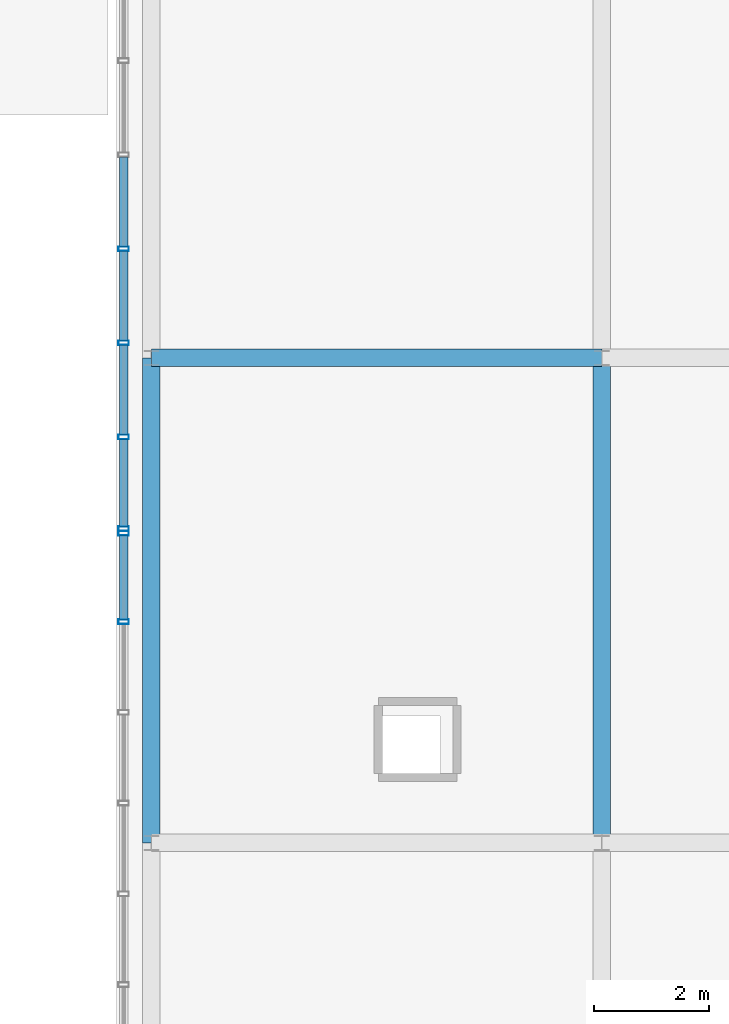
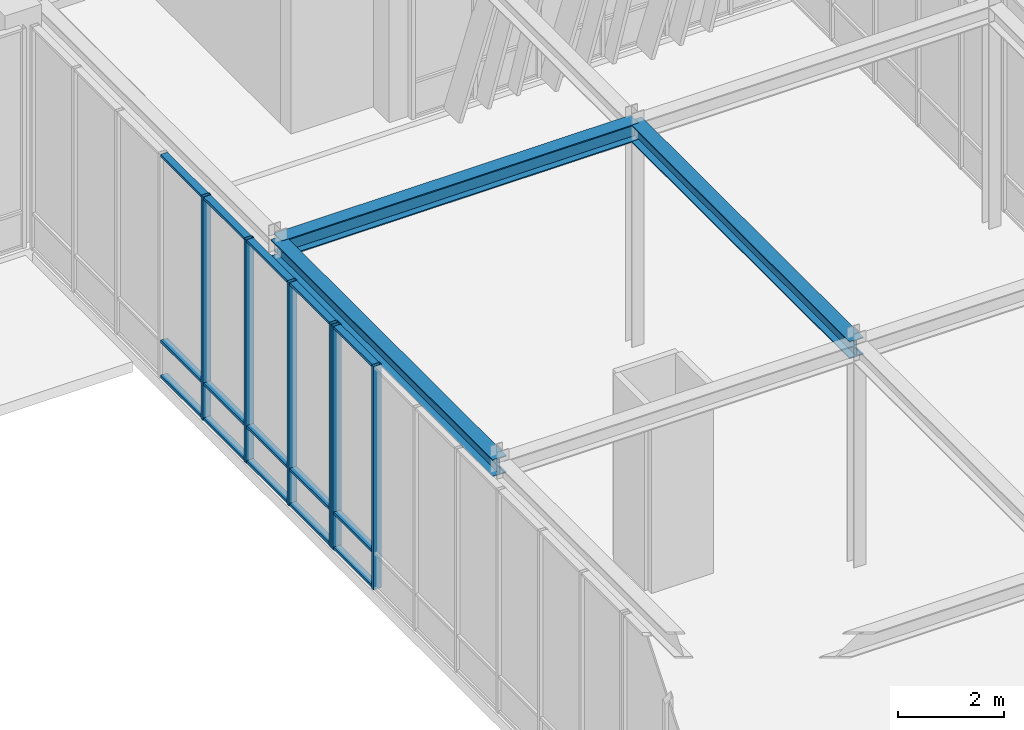
# One storey, part 25 of 139: 21 members, 3 beams, 2 elements without a shape of their own.
"""IFC4 building model written with IfcOpenShell, lengths in metres."""

from ifc_helpers import new_model, si_unit, direction, frame, origin, origin_2d, place, context, subcontext, project, spatial, hollow_rectangle, i_section, extrude, material, layer, layer_set, material_profile, profile_set, type_object, element, aggregate, save


model = new_model("IFC4")

# Units and contexts
model_context = context("Model", 3, precision=1e-05, world=origin(), true_north=direction((0.0, 1.0)))
body_context = subcontext(model_context, "Body", "Model", "MODEL_VIEW")
ifc_project = project(units=[si_unit("LENGTHUNIT", "METRE"), si_unit("AREAUNIT", "SQUARE_METRE"), si_unit("VOLUMEUNIT", "CUBIC_METRE"), si_unit("PLANEANGLEUNIT", "RADIAN"), si_unit("MASSUNIT", "GRAM", prefix="KILO")], contexts=[model_context])

# Site, building, storey
site_placement = place(None, origin())
site = spatial("IfcSite", under=ifc_project, at=site_placement, CompositionType="ELEMENT")
building_placement = place(site_placement, origin())
building = spatial("IfcBuilding", under=site, at=building_placement, Name="Zayran Congress Hotel", CompositionType="ELEMENT")
storey_placement = place(building_placement, frame((0.0, 0.0, 5.39990234375)))
storey = spatial("IfcBuildingStorey", under=building, at=storey_placement, Name="L01", CompositionType="ELEMENT", Elevation=5.39990234375)

# Beams
ifc_material_1 = material(Name="Steel S355", Category="steel")
ifc_material_profile_1 = material_profile(ifc_material_1, i_section(OverallWidth=0.300048828125, OverallDepth=0.39990234375, WebThickness=0.013427734375, FlangeThickness=0.02392578125, at=origin_2d()), Name="HEB 400")
ifc_profile_set_1 = profile_set([ifc_material_profile_1], Name="Steel S355")
beam_type = type_object("IfcBeamType", Name="TP-BM-10", PredefinedType="BEAM", material=ifc_profile_set_1)
beam_placement = place(storey_placement, frame((76.199951171875, 59.199951171875, 4.960205078125), z_axis=(1.0, 0.0, 0.0), x_axis=(0.0, 1.0, 0.0)))
element("IfcBeam", 1, at=beam_placement, inside=storey, type_object=beam_type, Name="BM-BR2-L01-2462", PredefinedType="BEAM", context=body_context, shape_type="SweptSolid", body=[
    extrude(i_section(OverallWidth=0.300048828125, OverallDepth=0.39990234375, WebThickness=0.013427734375, FlangeThickness=0.02392578125, at=origin_2d()), origin(), (0.0, 0.0, 1.0), 7.800048828125),
])
for number, where, z_axis, x_axis, name in (
    (2, (76.199951171875, 50.800048828125, 4.960205078125), (0.0, 1.0, 0.0), (-1.0, 0.0, 0.0), "BM-BR2Y-L01-2466"),
    (3, (84.0, 50.800048828125, 4.960205078125), (0.0, 1.0, 0.0), (-1.0, 0.0, 0.0), "BM-BR2Y-L01-2470"),
):
    element("IfcBeam", number, at=place(storey_placement, frame(where, z_axis=z_axis, x_axis=x_axis)), inside=storey, type_object=beam_type, Name=name, PredefinedType="BEAM", context=body_context, shape_type="SweptSolid", body=[
        extrude(i_section(OverallWidth=0.300048828125, OverallDepth=0.39990234375, WebThickness=0.013427734375, FlangeThickness=0.02392578125, at=origin_2d()), origin(), (0.0, 0.0, 1.0), 8.39990234375),
    ])

# Curtain wall, members
ifc_material_2 = material(Name="Anodised aluminium and low-E insulated glass", Category="aluminium")
ifc_layer_1 = layer(ifc_material_2, 0.179931640625)
ifc_layer_set_1 = layer_set([ifc_layer_1], Name="Anodised aluminium and low-E insulated glass")
curtain_wall_type_1 = type_object("IfcCurtainWallType", Name="CW-BR2-L01-CW-BR2-11000-5160", PredefinedType="USERDEFINED", material=ifc_layer_set_1)
curtain_wall_1_placement = place(storey_placement, origin())
curtain_wall_1 = element("IfcCurtainWall", 4, at=curtain_wall_1_placement, inside=storey, type_object=curtain_wall_type_1, Name="CW-BR2W-L01-1", ObjectType="CURTAIN WALL", PredefinedType="USERDEFINED")
ifc_material_3 = material(Name="Anodised aluminium framing", Category="aluminium")
ifc_material_profile_2 = material_profile(ifc_material_3, hollow_rectangle(XDim=0.080078125, YDim=0.179931640625, WallThickness=0.0048828125, at=origin_2d()), Name="RHS 180x80x5")
ifc_profile_set_2 = profile_set([ifc_material_profile_2], Name="Anodised aluminium framing")
member_type_1 = type_object("IfcMemberType", Name="TP-CWM-01", PredefinedType="MULLION", material=ifc_profile_set_2)
member_1_placement = place(storey_placement, frame((75.719970703125, 56.159912109375, 0.0), z_axis=(0.0, 0.0, 1.0), x_axis=(0.0, 1.0, 0.0)))
member_1 = element("IfcMember", 5, at=member_1_placement, type_object=member_type_1, Name="CW-BR2W-L01-1-M00", PredefinedType="MULLION", context=body_context, shape_type="SweptSolid", body=[
    extrude(hollow_rectangle(XDim=0.080078125, YDim=0.179931640625, WallThickness=0.0048828125, at=origin_2d()), origin(), (0.0, 0.0, 1.0), 5.16015625),
])
member_2_placement = place(storey_placement, frame((75.719970703125, 54.628662109375, 0.0), z_axis=(0.0, 0.0, 1.0), x_axis=(0.0, 1.0, 0.0)))
member_2 = element("IfcMember", 6, at=member_2_placement, type_object=member_type_1, Name="CW-BR2W-L01-1-M01", PredefinedType="MULLION", context=body_context, shape_type="SweptSolid", body=[
    extrude(hollow_rectangle(XDim=0.080078125, YDim=0.179931640625, WallThickness=0.0048828125, at=origin_2d()), origin(), (0.0, 0.0, 1.0), 5.16015625),
])

ifc_layer_2 = layer(ifc_material_2, 0.179931640625)
ifc_layer_set_2 = layer_set([ifc_layer_2], Name="Anodised aluminium and low-E insulated glass")
curtain_wall_type_2 = type_object("IfcCurtainWallType", Name="CW-BR2-L01-CW-BR2-11400-5160", PredefinedType="USERDEFINED", material=ifc_layer_set_2)
curtain_wall_2_placement = place(storey_placement, origin())
curtain_wall_2 = element("IfcCurtainWall", 7, at=curtain_wall_2_placement, inside=storey, type_object=curtain_wall_type_2, Name="CW-BR2W-L01-2", ObjectType="CURTAIN WALL", PredefinedType="USERDEFINED")
member_3_placement = place(storey_placement, frame((75.719970703125, 61.085693359375, 0.0), z_axis=(0.0, 0.0, 1.0), x_axis=(0.0, 1.0, 0.0)))
member_3 = element("IfcMember", 8, at=member_3_placement, type_object=member_type_1, Name="CW-BR2W-L01-2-M04", PredefinedType="MULLION", context=body_context, shape_type="SweptSolid", body=[
    extrude(hollow_rectangle(XDim=0.080078125, YDim=0.179931640625, WallThickness=0.0048828125, at=origin_2d()), origin(), (0.0, 0.0, 1.0), 5.16015625),
])
member_4_placement = place(storey_placement, frame((75.719970703125, 59.45703125, 0.0), z_axis=(0.0, 0.0, 1.0), x_axis=(0.0, 1.0, 0.0)))
member_4 = element("IfcMember", 9, at=member_4_placement, type_object=member_type_1, Name="CW-BR2W-L01-2-M05", PredefinedType="MULLION", context=body_context, shape_type="SweptSolid", body=[
    extrude(hollow_rectangle(XDim=0.080078125, YDim=0.179931640625, WallThickness=0.0048828125, at=origin_2d()), origin(), (0.0, 0.0, 1.0), 5.16015625),
])
member_5_placement = place(storey_placement, frame((75.719970703125, 57.82861328125, 0.0), z_axis=(0.0, 0.0, 1.0), x_axis=(0.0, 1.0, 0.0)))
member_5 = element("IfcMember", 10, at=member_5_placement, type_object=member_type_1, Name="CW-BR2W-L01-2-M06", PredefinedType="MULLION", context=body_context, shape_type="SweptSolid", body=[
    extrude(hollow_rectangle(XDim=0.080078125, YDim=0.179931640625, WallThickness=0.0048828125, at=origin_2d()), origin(), (0.0, 0.0, 1.0), 5.16015625),
])
member_6_placement = place(storey_placement, frame((75.719970703125, 56.239990234375, 0.0), z_axis=(0.0, 0.0, 1.0), x_axis=(0.0, 1.0, 0.0)))
member_6 = element("IfcMember", 11, at=member_6_placement, type_object=member_type_1, Name="CW-BR2W-L01-2-M07", PredefinedType="MULLION", context=body_context, shape_type="SweptSolid", body=[
    extrude(hollow_rectangle(XDim=0.080078125, YDim=0.179931640625, WallThickness=0.0048828125, at=origin_2d()), origin(), (0.0, 0.0, 1.0), 5.16015625),
])

# Member
ifc_material_profile_3 = material_profile(ifc_material_3, hollow_rectangle(XDim=0.06005859375, YDim=0.14990234375, WallThickness=0.00390625, at=origin_2d()), Name="RHS 150x60x4")
ifc_profile_set_3 = profile_set([ifc_material_profile_3], Name="Anodised aluminium framing")
member_type_2 = type_object("IfcMemberType", Name="TP-CWT-01", PredefinedType="USERDEFINED", material=ifc_profile_set_3)
member_7_placement = place(storey_placement, frame((75.719970703125, 56.1201171875, 0.030029296875), z_axis=(0.0, -1.0, 0.0), x_axis=(0.0, 0.0, 1.0)))
member_7 = element("IfcMember", 12, at=member_7_placement, type_object=member_type_2, Name="CW-BR2W-L01-1-T00-0", ObjectType="TRANSOM", PredefinedType="USERDEFINED", context=body_context, shape_type="SweptSolid", body=[
    extrude(hollow_rectangle(XDim=0.06005859375, YDim=0.14990234375, WallThickness=0.00390625, at=origin_2d()), origin(), (0.0, 0.0, 1.0), 1.451416015625),
])

member_8_placement = place(storey_placement, frame((75.719970703125, 56.1201171875, 0.840087890625), z_axis=(0.0, -1.0, 0.0), x_axis=(0.0, 0.0, 1.0)))
member_8 = element("IfcMember", 13, at=member_8_placement, type_object=member_type_2, Name="CW-BR2W-L01-1-T00-1", ObjectType="TRANSOM", PredefinedType="USERDEFINED", context=body_context, shape_type="SweptSolid", body=[
    extrude(hollow_rectangle(XDim=0.06005859375, YDim=0.14990234375, WallThickness=0.00390625, at=origin_2d()), origin(), (0.0, 0.0, 1.0), 1.451416015625),
])

member_9_placement = place(storey_placement, frame((75.719970703125, 56.1201171875, 5.130126953125), z_axis=(0.0, -1.0, 0.0), x_axis=(0.0, 0.0, 1.0)))
member_9 = element("IfcMember", 14, at=member_9_placement, type_object=member_type_2, Name="CW-BR2W-L01-1-T00-2", ObjectType="TRANSOM", PredefinedType="USERDEFINED", context=body_context, shape_type="SweptSolid", body=[
    extrude(hollow_rectangle(XDim=0.06005859375, YDim=0.14990234375, WallThickness=0.00390625, at=origin_2d()), origin(), (0.0, 0.0, 1.0), 1.451416015625),
])

aggregate(curtain_wall_1, [member_1, member_2, member_7, member_8, member_9])

member_10_placement = place(storey_placement, frame((75.719970703125, 62.67431640625, 0.030029296875), z_axis=(0.0, -1.0, 0.0), x_axis=(0.0, 0.0, 1.0)))
member_10 = element("IfcMember", 15, at=member_10_placement, type_object=member_type_2, Name="CW-BR2W-L01-2-T03-0", ObjectType="TRANSOM", PredefinedType="USERDEFINED", context=body_context, shape_type="SweptSolid", body=[
    extrude(hollow_rectangle(XDim=0.06005859375, YDim=0.14990234375, WallThickness=0.00390625, at=origin_2d()), origin(), (0.0, 0.0, 1.0), 1.548583984375),
])

member_11_placement = place(storey_placement, frame((75.719970703125, 62.67431640625, 0.840087890625), z_axis=(0.0, -1.0, 0.0), x_axis=(0.0, 0.0, 1.0)))
member_11 = element("IfcMember", 16, at=member_11_placement, type_object=member_type_2, Name="CW-BR2W-L01-2-T03-1", ObjectType="TRANSOM", PredefinedType="USERDEFINED", context=body_context, shape_type="SweptSolid", body=[
    extrude(hollow_rectangle(XDim=0.06005859375, YDim=0.14990234375, WallThickness=0.00390625, at=origin_2d()), origin(), (0.0, 0.0, 1.0), 1.548583984375),
])

member_12_placement = place(storey_placement, frame((75.719970703125, 62.67431640625, 5.130126953125), z_axis=(0.0, -1.0, 0.0), x_axis=(0.0, 0.0, 1.0)))
member_12 = element("IfcMember", 17, at=member_12_placement, type_object=member_type_2, Name="CW-BR2W-L01-2-T03-2", ObjectType="TRANSOM", PredefinedType="USERDEFINED", context=body_context, shape_type="SweptSolid", body=[
    extrude(hollow_rectangle(XDim=0.06005859375, YDim=0.14990234375, WallThickness=0.00390625, at=origin_2d()), origin(), (0.0, 0.0, 1.0), 1.548583984375),
])

member_13_placement = place(storey_placement, frame((75.719970703125, 61.045654296875, 0.030029296875), z_axis=(0.0, -1.0, 0.0), x_axis=(0.0, 0.0, 1.0)))
member_13 = element("IfcMember", 18, at=member_13_placement, type_object=member_type_2, Name="CW-BR2W-L01-2-T04-0", ObjectType="TRANSOM", PredefinedType="USERDEFINED", context=body_context, shape_type="SweptSolid", body=[
    extrude(hollow_rectangle(XDim=0.06005859375, YDim=0.14990234375, WallThickness=0.00390625, at=origin_2d()), origin(), (0.0, 0.0, 1.0), 1.548583984375),
])

member_14_placement = place(storey_placement, frame((75.719970703125, 61.045654296875, 0.840087890625), z_axis=(0.0, -1.0, 0.0), x_axis=(0.0, 0.0, 1.0)))
member_14 = element("IfcMember", 19, at=member_14_placement, type_object=member_type_2, Name="CW-BR2W-L01-2-T04-1", ObjectType="TRANSOM", PredefinedType="USERDEFINED", context=body_context, shape_type="SweptSolid", body=[
    extrude(hollow_rectangle(XDim=0.06005859375, YDim=0.14990234375, WallThickness=0.00390625, at=origin_2d()), origin(), (0.0, 0.0, 1.0), 1.548583984375),
])

member_15_placement = place(storey_placement, frame((75.719970703125, 61.045654296875, 5.130126953125), z_axis=(0.0, -1.0, 0.0), x_axis=(0.0, 0.0, 1.0)))
member_15 = element("IfcMember", 20, at=member_15_placement, type_object=member_type_2, Name="CW-BR2W-L01-2-T04-2", ObjectType="TRANSOM", PredefinedType="USERDEFINED", context=body_context, shape_type="SweptSolid", body=[
    extrude(hollow_rectangle(XDim=0.06005859375, YDim=0.14990234375, WallThickness=0.00390625, at=origin_2d()), origin(), (0.0, 0.0, 1.0), 1.548583984375),
])

member_16_placement = place(storey_placement, frame((75.719970703125, 59.4169921875, 0.030029296875), z_axis=(0.0, -1.0, 0.0), x_axis=(0.0, 0.0, 1.0)))
member_16 = element("IfcMember", 21, at=member_16_placement, type_object=member_type_2, Name="CW-BR2W-L01-2-T05-0", ObjectType="TRANSOM", PredefinedType="USERDEFINED", context=body_context, shape_type="SweptSolid", body=[
    extrude(hollow_rectangle(XDim=0.06005859375, YDim=0.14990234375, WallThickness=0.00390625, at=origin_2d()), origin(), (0.0, 0.0, 1.0), 1.54833984375),
])

member_17_placement = place(storey_placement, frame((75.719970703125, 59.4169921875, 0.840087890625), z_axis=(0.0, -1.0, 0.0), x_axis=(0.0, 0.0, 1.0)))
member_17 = element("IfcMember", 22, at=member_17_placement, type_object=member_type_2, Name="CW-BR2W-L01-2-T05-1", ObjectType="TRANSOM", PredefinedType="USERDEFINED", context=body_context, shape_type="SweptSolid", body=[
    extrude(hollow_rectangle(XDim=0.06005859375, YDim=0.14990234375, WallThickness=0.00390625, at=origin_2d()), origin(), (0.0, 0.0, 1.0), 1.54833984375),
])

member_18_placement = place(storey_placement, frame((75.719970703125, 59.4169921875, 5.130126953125), z_axis=(0.0, -1.0, 0.0), x_axis=(0.0, 0.0, 1.0)))
member_18 = element("IfcMember", 23, at=member_18_placement, type_object=member_type_2, Name="CW-BR2W-L01-2-T05-2", ObjectType="TRANSOM", PredefinedType="USERDEFINED", context=body_context, shape_type="SweptSolid", body=[
    extrude(hollow_rectangle(XDim=0.06005859375, YDim=0.14990234375, WallThickness=0.00390625, at=origin_2d()), origin(), (0.0, 0.0, 1.0), 1.54833984375),
])

member_19_placement = place(storey_placement, frame((75.719970703125, 57.78857421875, 0.030029296875), z_axis=(0.0, -1.0, 0.0), x_axis=(0.0, 0.0, 1.0)))
member_19 = element("IfcMember", 24, at=member_19_placement, type_object=member_type_2, Name="CW-BR2W-L01-2-T06-0", ObjectType="TRANSOM", PredefinedType="USERDEFINED", context=body_context, shape_type="SweptSolid", body=[
    extrude(hollow_rectangle(XDim=0.06005859375, YDim=0.14990234375, WallThickness=0.00390625, at=origin_2d()), origin(), (0.0, 0.0, 1.0), 1.508544921875),
])

member_20_placement = place(storey_placement, frame((75.719970703125, 57.78857421875, 0.840087890625), z_axis=(0.0, -1.0, 0.0), x_axis=(0.0, 0.0, 1.0)))
member_20 = element("IfcMember", 25, at=member_20_placement, type_object=member_type_2, Name="CW-BR2W-L01-2-T06-1", ObjectType="TRANSOM", PredefinedType="USERDEFINED", context=body_context, shape_type="SweptSolid", body=[
    extrude(hollow_rectangle(XDim=0.06005859375, YDim=0.14990234375, WallThickness=0.00390625, at=origin_2d()), origin(), (0.0, 0.0, 1.0), 1.508544921875),
])

member_21_placement = place(storey_placement, frame((75.719970703125, 57.78857421875, 5.130126953125), z_axis=(0.0, -1.0, 0.0), x_axis=(0.0, 0.0, 1.0)))
member_21 = element("IfcMember", 26, at=member_21_placement, type_object=member_type_2, Name="CW-BR2W-L01-2-T06-2", ObjectType="TRANSOM", PredefinedType="USERDEFINED", context=body_context, shape_type="SweptSolid", body=[
    extrude(hollow_rectangle(XDim=0.06005859375, YDim=0.14990234375, WallThickness=0.00390625, at=origin_2d()), origin(), (0.0, 0.0, 1.0), 1.508544921875),
])

aggregate(curtain_wall_2, [member_3, member_4, member_5, member_6, member_10, member_11, member_12, member_13, member_14, member_15, member_16, member_17, member_18, member_19, member_20, member_21])

save(model, "model.ifc")
